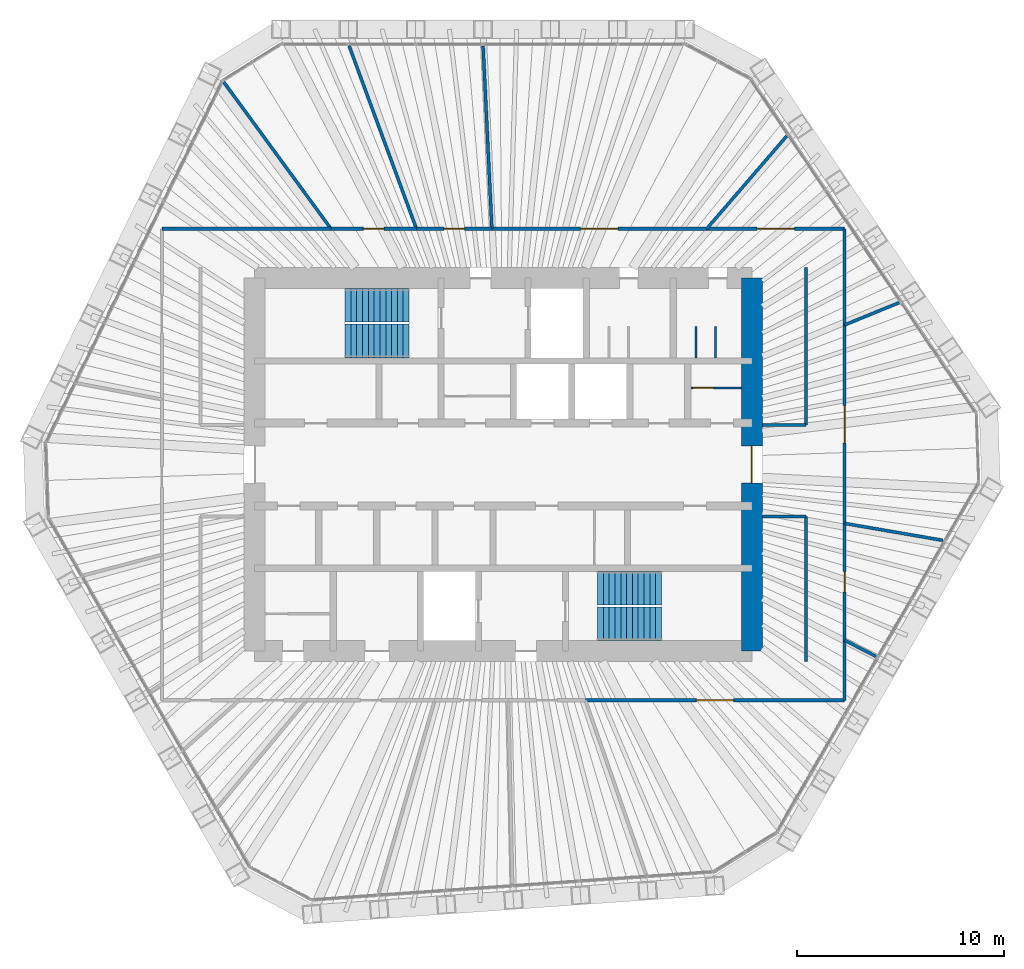
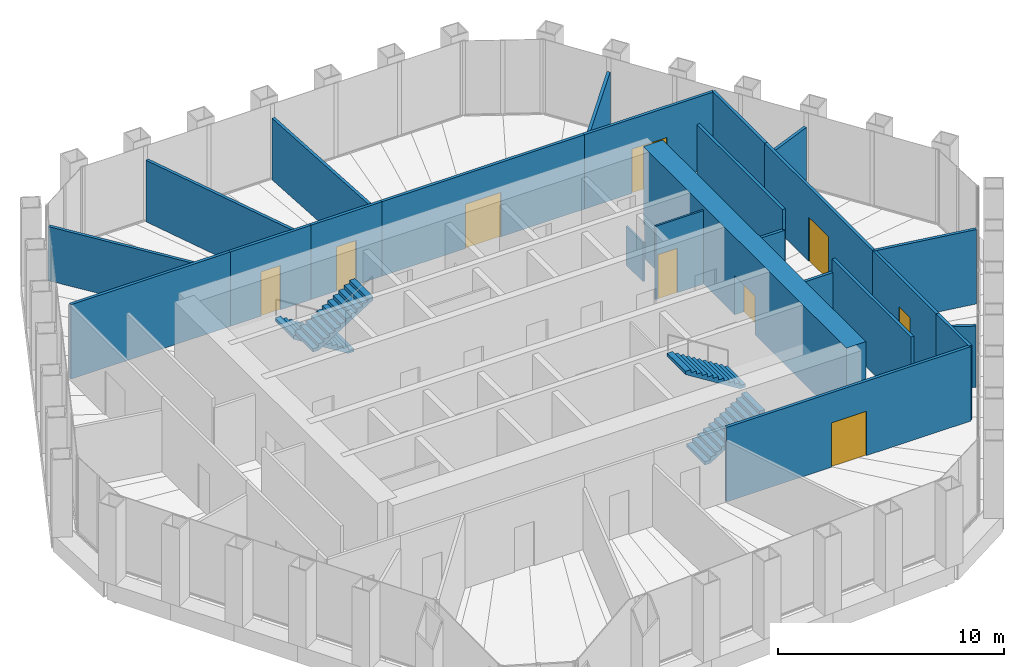
# One storey, part 13 of 14: 25 walls, 9 doors, 4 stair flights, 9 openings, 2 elements without a shape of their own.
"""IFC4 building model written with IfcOpenShell, lengths in metres."""

from ifc_helpers import new_model, si_unit, direction, frame, frame_2d, origin, place, context, subcontext, project, spatial, polyline, rectangle, outline, extrude, material, layer, layer_set, type_object, element, fill, aggregate, save


model = new_model("IFC4")

# Units and contexts
model_context = context("Model", 3, precision=1e-05, world=origin(), true_north=direction((0.0, 1.0)))
body_context = subcontext(model_context, "Body", "Model", "MODEL_VIEW")
ifc_project = project(units=[si_unit("LENGTHUNIT", "METRE"), si_unit("AREAUNIT", "SQUARE_METRE"), si_unit("VOLUMEUNIT", "CUBIC_METRE"), si_unit("PLANEANGLEUNIT", "RADIAN"), si_unit("MASSUNIT", "GRAM", prefix="KILO")], contexts=[model_context])

# Site, building, storey
site_placement = place(None, origin())
site = spatial("IfcSite", under=ifc_project, at=site_placement, CompositionType="ELEMENT")
building_placement = place(site_placement, origin())
building = spatial("IfcBuilding", under=site, at=building_placement, Name="Qingtian Harvest Tower", CompositionType="ELEMENT")
storey_placement = place(building_placement, frame((0.0, 0.0, 270.39990234375)))
storey = spatial("IfcBuildingStorey", under=building, at=storey_placement, Name="L59", CompositionType="ELEMENT", Elevation=270.39990234375)

# Wall, opening, door
ifc_material_1 = material(Name="Concrete fc' 70 MPa", Category="concrete")
ifc_layer_1 = layer(ifc_material_1, 1.0)
ifc_layer_set_1 = layer_set([ifc_layer_1], Name="Core wall RC3 1000")
wall_type_1 = type_object("IfcWallType", Name="Core wall RC3 1000", PredefinedType="SHEAR", material=ifc_layer_set_1)
wall_1_placement = place(storey_placement, frame((12.0, -9.0, 0.0), z_axis=(0.0, 0.0, 1.0), x_axis=(0.0, 1.0, 0.0)))
wall_1 = element("IfcWall", 1, at=wall_1_placement, inside=storey, type_object=wall_type_1, Name="Core wall CE L59", PredefinedType="SHEAR", context=body_context, shape_type="SweptSolid", body=[
    extrude(rectangle(XDim=18.0, YDim=1.0, at=frame_2d((9.0, 0.0))), origin(), (0.0, 0.0, 1.0), 4.2001953125),
])
opening_1_placement = place(wall_1_placement, frame((8.10009765625, 0.0, 0.0)))
opening_1 = element("IfcOpeningElement", 2, at=opening_1_placement, cuts=wall_1, Name="Opening FD2", PredefinedType="OPENING", context=body_context, shape_type="SweptSolid", body=[
    extrude(rectangle(XDim=1.800048828125, YDim=2.10009765625, at=frame_2d((0.89990234375, 1.050048828125))), frame((0.0, 0.510009765625, 0.0), z_axis=(0.0, -1.0, 0.0), x_axis=(1.0, 0.0, 0.0)), (0.0, 0.0, 1.0), 1.02001953125),
])
ifc_material_2 = material(Name="Steel-faced door leaf", Category="steel")
door_type_1 = type_object("IfcDoorType", Name="Fire door FD2 double 1 HR", OperationType="DOUBLE_DOOR_DOUBLE_SWING", PredefinedType="DOOR", material=ifc_material_2)
door_1_placement = place(opening_1_placement, origin())
door_1 = element("IfcDoor", 3, at=door_1_placement, inside=storey, type_object=door_type_1, Name="LOBBY-E door L59", OperationType="DOUBLE_DOOR_DOUBLE_SWING", OverallHeight=2.10009765625, OverallWidth=1.800048828125, PredefinedType="DOOR", context=body_context, shape_type="SweptSolid", body=[
    extrude(rectangle(XDim=1.800048828125, YDim=2.10009765625, at=frame_2d((0.89990234375, 1.050048828125))), frame((0.0, 0.02490234375, 0.0), z_axis=(0.0, -1.0, 0.0), x_axis=(1.0, 0.0, 0.0)), (0.0, 0.0, 1.0), 0.050048828125),
])
fill(opening_1, door_1)

# Walls
ifc_material_3 = material(Name="Gypsum board on steel studs", Category="steel")
ifc_layer_2 = layer(ifc_material_3, 0.14990234375)
ifc_layer_set_2 = layer_set([ifc_layer_2], Name="Partition PT1 150")
wall_type_2 = type_object("IfcWallType", Name="Partition PT1 150", PredefinedType="PARTITIONING", material=ifc_layer_set_2)
wall_2_placement = place(storey_placement, frame((-16.47509765625, 11.375, 0.0), z_axis=(0.0, 0.0, 1.0), x_axis=(1.0, 0.0, 0.0)))
element("IfcWall", 4, at=wall_2_placement, inside=storey, type_object=wall_type_2, Name="Workplace zone wall L59", PredefinedType="PARTITIONING", context=body_context, shape_type="SweptSolid", body=[
    extrude(rectangle(XDim=8.162841796875, YDim=0.14990234375, at=frame_2d((4.08154296875, 0.0))), origin(), (0.0, 0.0, 1.0), 4.030029296875),
])
wall_3_placement = place(storey_placement, frame((-13.486083984375, 18.455322265625, 0.0), z_axis=(0.0, 0.0, 1.0), x_axis=(0.589997742419, -0.807404894672, 0.0)))
element("IfcWall", 5, at=wall_3_placement, inside=storey, type_object=wall_type_2, Name="Store room wall L59", PredefinedType="PARTITIONING", context=body_context, shape_type="SweptSolid", body=[
    extrude(rectangle(XDim=8.769287109375, YDim=0.14990234375, at=frame_2d((4.384765625, 0.0))), origin(), (0.0, 0.0, 1.0), 2.93017578125),
])

# Wall, opening, door
wall_4_placement = place(storey_placement, frame((-8.312255859375, 11.375, 0.0), z_axis=(0.0, 0.0, 1.0), x_axis=(1.0, 0.0, 0.0)))
wall_4 = element("IfcWall", 6, at=wall_4_placement, inside=storey, type_object=wall_type_2, Name="Store room wall L59", PredefinedType="PARTITIONING", context=body_context, shape_type="SweptSolid", body=[
    extrude(rectangle(XDim=4.1240234375, YDim=0.14990234375, at=frame_2d((2.06201171875, 0.0))), origin(), (0.0, 0.0, 1.0), 4.030029296875),
])
opening_2_placement = place(wall_4_placement, frame((1.56201171875, 0.0, 0.0)))
opening_2 = element("IfcOpeningElement", 7, at=opening_2_placement, cuts=wall_4, Name="Opening D2", PredefinedType="OPENING", context=body_context, shape_type="SweptSolid", body=[
    extrude(rectangle(XDim=1.0, YDim=2.39990234375, at=frame_2d((0.5, 1.199951171875))), frame((0.0, 0.0849609375, 0.0), z_axis=(0.0, -1.0, 0.0), x_axis=(1.0, 0.0, 0.0)), (0.0, 0.0, 1.0), 0.169921875),
])
ifc_material_4 = material(Name="Laminated timber door leaf", Category="wood")
door_type_2 = type_object("IfcDoorType", Name="Room door D2 single", OperationType="SINGLE_SWING_LEFT", PredefinedType="DOOR", material=ifc_material_4)
door_2_placement = place(opening_2_placement, origin())
door_2 = element("IfcDoor", 8, at=door_2_placement, inside=storey, type_object=door_type_2, Name="Store room door L59", OperationType="SINGLE_SWING_RIGHT", OverallHeight=2.39990234375, OverallWidth=1.0, PredefinedType="DOOR", context=body_context, shape_type="SweptSolid", body=[
    extrude(rectangle(XDim=1.0, YDim=2.39990234375, at=frame_2d((0.5, 1.199951171875))), frame((0.0, 0.02490234375, 0.0), z_axis=(0.0, -1.0, 0.0), x_axis=(1.0, 0.0, 0.0)), (0.0, 0.0, 1.0), 0.050048828125),
])
fill(opening_2, door_2)

# Wall
wall_5_placement = place(storey_placement, frame((-7.439697265625, 20.2060546875, 0.0), z_axis=(0.0, 0.0, 1.0), x_axis=(0.345510588088, -0.938414851502, 0.0)))
element("IfcWall", 9, at=wall_5_placement, inside=storey, type_object=wall_type_2, Name="Quiet room wall L59", PredefinedType="PARTITIONING", context=body_context, shape_type="SweptSolid", body=[
    extrude(rectangle(XDim=9.41064453125, YDim=0.14990234375, at=frame_2d((4.705322265625, 0.0))), origin(), (0.0, 0.0, 1.0), 3.330078125),
])

# Wall, opening, door
wall_6_placement = place(storey_placement, frame((-4.188232421875, 11.375, 0.0), z_axis=(0.0, 0.0, 1.0), x_axis=(1.0, 0.0, 0.0)))
wall_6 = element("IfcWall", 10, at=wall_6_placement, inside=storey, type_object=wall_type_2, Name="Quiet room wall L59", PredefinedType="PARTITIONING", context=body_context, shape_type="SweptSolid", body=[
    extrude(rectangle(XDim=3.64013671875, YDim=0.14990234375, at=frame_2d((1.820068359375, 0.0))), origin(), (0.0, 0.0, 1.0), 4.030029296875),
])
opening_3_placement = place(wall_6_placement, frame((1.320068359375, 0.0, 0.0)))
opening_3 = element("IfcOpeningElement", 11, at=opening_3_placement, cuts=wall_6, Name="Opening D2", PredefinedType="OPENING", context=body_context, shape_type="SweptSolid", body=[
    extrude(rectangle(XDim=1.0, YDim=2.39990234375, at=frame_2d((0.5, 1.199951171875))), frame((0.0, 0.0849609375, 0.0), z_axis=(0.0, -1.0, 0.0), x_axis=(1.0, 0.0, 0.0)), (0.0, 0.0, 1.0), 0.169921875),
])
door_3_placement = place(opening_3_placement, origin())
door_3 = element("IfcDoor", 12, at=door_3_placement, inside=storey, type_object=door_type_2, Name="Quiet room door L59", OperationType="SINGLE_SWING_RIGHT", OverallHeight=2.39990234375, OverallWidth=1.0, PredefinedType="DOOR", context=body_context, shape_type="SweptSolid", body=[
    extrude(rectangle(XDim=1.0, YDim=2.39990234375, at=frame_2d((0.5, 1.199951171875))), frame((0.0, 0.02490234375, 0.0), z_axis=(0.0, -1.0, 0.0), x_axis=(1.0, 0.0, 0.0)), (0.0, 0.0, 1.0), 0.050048828125),
])
fill(opening_3, door_3)

# Wall
wall_7_placement = place(storey_placement, frame((-0.973388671875, 20.2001953125, 0.0), z_axis=(0.0, 0.0, 1.0), x_axis=(0.048134910622, -0.998840843368, 0.0)))
element("IfcWall", 13, at=wall_7_placement, inside=storey, type_object=wall_type_2, Name="Workplace zone wall L59", PredefinedType="PARTITIONING", context=body_context, shape_type="SweptSolid", body=[
    extrude(rectangle(XDim=8.83544921875, YDim=0.14990234375, at=frame_2d((4.417724609375, 0.0))), origin(), (0.0, 0.0, 1.0), 3.330078125),
])

# Wall, opening, door
wall_8_placement = place(storey_placement, frame((-0.548095703125, 11.375, 0.0), z_axis=(0.0, 0.0, 1.0), x_axis=(1.0, 0.0, 0.0)))
wall_8 = element("IfcWall", 14, at=wall_8_placement, inside=storey, type_object=wall_type_2, Name="Workplace zone wall L59", PredefinedType="PARTITIONING", context=body_context, shape_type="SweptSolid", body=[
    extrude(rectangle(XDim=10.364501953125, YDim=0.14990234375, at=frame_2d((5.18212890625, 0.0))), origin(), (0.0, 0.0, 1.0), 4.030029296875),
])
opening_4_placement = place(wall_8_placement, frame((4.2822265625, 0.0, 0.0)))
opening_4 = element("IfcOpeningElement", 15, at=opening_4_placement, cuts=wall_8, Name="Opening D3", PredefinedType="OPENING", context=body_context, shape_type="SweptSolid", body=[
    extrude(rectangle(XDim=1.800048828125, YDim=2.39990234375, at=frame_2d((0.89990234375, 1.199951171875))), frame((0.0, 0.0849609375, 0.0), z_axis=(0.0, -1.0, 0.0), x_axis=(1.0, 0.0, 0.0)), (0.0, 0.0, 1.0), 0.169921875),
])
ifc_material_5 = material(Name="Laminated timber door leaf", Category="wood")
door_type_3 = type_object("IfcDoorType", Name="Room door D3 double", OperationType="DOUBLE_DOOR_DOUBLE_SWING", PredefinedType="DOOR", material=ifc_material_5)
door_4_placement = place(opening_4_placement, origin())
door_4 = element("IfcDoor", 16, at=door_4_placement, inside=storey, type_object=door_type_3, Name="Workplace zone door L59", OperationType="DOUBLE_DOOR_DOUBLE_SWING", OverallHeight=2.39990234375, OverallWidth=1.800048828125, PredefinedType="DOOR", context=body_context, shape_type="SweptSolid", body=[
    extrude(rectangle(XDim=1.800048828125, YDim=2.39990234375, at=frame_2d((0.89990234375, 1.199951171875))), frame((0.0, 0.02490234375, 0.0), z_axis=(0.0, -1.0, 0.0), x_axis=(1.0, 0.0, 0.0)), (0.0, 0.0, 1.0), 0.050048828125),
])
fill(opening_4, door_4)

# Wall
wall_9_placement = place(storey_placement, frame((13.678466796875, 15.850341796875, 0.0), z_axis=(0.0, 0.0, 1.0), x_axis=(-0.653328423077, -0.757074614288, 0.0)))
element("IfcWall", 17, at=wall_9_placement, inside=storey, type_object=wall_type_2, Name="Meeting room wall L59", PredefinedType="PARTITIONING", context=body_context, shape_type="SweptSolid", body=[
    extrude(rectangle(XDim=5.911376953125, YDim=0.14990234375, at=frame_2d((2.95556640625, 0.0))), origin(), (0.0, 0.0, 1.0), 3.330078125),
])

# Wall, opening, door
wall_10_placement = place(storey_placement, frame((9.81640625, 11.375, 0.0), z_axis=(0.0, 0.0, 1.0), x_axis=(1.0, 0.0, 0.0)))
wall_10 = element("IfcWall", 18, at=wall_10_placement, inside=storey, type_object=wall_type_2, Name="Meeting room wall L59", PredefinedType="PARTITIONING", context=body_context, shape_type="SweptSolid", body=[
    extrude(rectangle(XDim=6.65869140625, YDim=0.14990234375, at=frame_2d((3.329345703125, 0.0))), origin(), (0.0, 0.0, 1.0), 4.030029296875),
])
opening_5_placement = place(wall_10_placement, frame((2.42919921875, 0.0, 0.0)))
opening_5 = element("IfcOpeningElement", 19, at=opening_5_placement, cuts=wall_10, Name="Opening D3", PredefinedType="OPENING", context=body_context, shape_type="SweptSolid", body=[
    extrude(rectangle(XDim=1.800048828125, YDim=2.39990234375, at=frame_2d((0.89990234375, 1.199951171875))), frame((0.0, 0.0849609375, 0.0), z_axis=(0.0, -1.0, 0.0), x_axis=(1.0, 0.0, 0.0)), (0.0, 0.0, 1.0), 0.169921875),
])
door_5_placement = place(opening_5_placement, origin())
door_5 = element("IfcDoor", 20, at=door_5_placement, inside=storey, type_object=door_type_3, Name="Meeting room door L59", OperationType="DOUBLE_DOOR_DOUBLE_SWING", OverallHeight=2.39990234375, OverallWidth=1.800048828125, PredefinedType="DOOR", context=body_context, shape_type="SweptSolid", body=[
    extrude(rectangle(XDim=1.800048828125, YDim=2.39990234375, at=frame_2d((0.89990234375, 1.199951171875))), frame((0.0, 0.02490234375, 0.0), z_axis=(0.0, -1.0, 0.0), x_axis=(1.0, 0.0, 0.0)), (0.0, 0.0, 1.0), 0.050048828125),
])
fill(opening_5, door_5)

# Walls
wall_11_placement = place(storey_placement, frame((16.47509765625, 11.375, 0.0), z_axis=(0.0, 0.0, 1.0), x_axis=(0.0, -1.0, 0.0)))
element("IfcWall", 21, at=wall_11_placement, inside=storey, type_object=wall_type_2, Name="Meeting room wall L59", PredefinedType="PARTITIONING", context=body_context, shape_type="SweptSolid", body=[
    extrude(rectangle(XDim=4.638427734375, YDim=0.14990234375, at=frame_2d((2.3193359375, 0.0))), origin(), (0.0, 0.0, 1.0), 4.030029296875),
])
wall_12_placement = place(storey_placement, frame((19.10009765625, 7.81005859375, 0.0), z_axis=(0.0, 0.0, 1.0), x_axis=(-0.925593572601, -0.378518874509, 0.0)))
element("IfcWall", 22, at=wall_12_placement, inside=storey, type_object=wall_type_2, Name="Workplace zone wall L59", PredefinedType="PARTITIONING", context=body_context, shape_type="SweptSolid", body=[
    extrude(rectangle(XDim=2.8359375, YDim=0.14990234375, at=frame_2d((1.41796875, 0.0))), origin(), (0.0, 0.0, 1.0), 3.330078125),
])

# Wall, opening, door
wall_13_placement = place(storey_placement, frame((16.47509765625, 6.736572265625, 0.0), z_axis=(0.0, 0.0, 1.0), x_axis=(0.0, -1.0, 0.0)))
wall_13 = element("IfcWall", 23, at=wall_13_placement, inside=storey, type_object=wall_type_2, Name="Workplace zone wall L59", PredefinedType="PARTITIONING", context=body_context, shape_type="SweptSolid", body=[
    extrude(rectangle(XDim=9.578369140625, YDim=0.14990234375, at=frame_2d((4.7890625, 0.0))), origin(), (0.0, 0.0, 1.0), 4.030029296875),
])
opening_6_placement = place(wall_13_placement, frame((3.88916015625, 0.0, 0.0)))
opening_6 = element("IfcOpeningElement", 24, at=opening_6_placement, cuts=wall_13, Name="Opening D3", PredefinedType="OPENING", context=body_context, shape_type="SweptSolid", body=[
    extrude(rectangle(XDim=1.800048828125, YDim=2.39990234375, at=frame_2d((0.89990234375, 1.199951171875))), frame((0.0, 0.0849609375, 0.0), z_axis=(0.0, -1.0, 0.0), x_axis=(1.0, 0.0, 0.0)), (0.0, 0.0, 1.0), 0.169921875),
])
door_6_placement = place(opening_6_placement, origin())
door_6 = element("IfcDoor", 25, at=door_6_placement, inside=storey, type_object=door_type_3, Name="Workplace zone door L59", OperationType="DOUBLE_DOOR_DOUBLE_SWING", OverallHeight=2.39990234375, OverallWidth=1.800048828125, PredefinedType="DOOR", context=body_context, shape_type="SweptSolid", body=[
    extrude(rectangle(XDim=1.800048828125, YDim=2.39990234375, at=frame_2d((0.89990234375, 1.199951171875))), frame((0.0, 0.02490234375, 0.0), z_axis=(0.0, -1.0, 0.0), x_axis=(1.0, 0.0, 0.0)), (0.0, 0.0, 1.0), 0.050048828125),
])
fill(opening_6, door_6)

# Wall
wall_14_placement = place(storey_placement, frame((21.218994140625, -3.66015625, 0.0), z_axis=(0.0, 0.0, 1.0), x_axis=(-0.985444592587, 0.16999692627, 0.0)))
element("IfcWall", 26, at=wall_14_placement, inside=storey, type_object=wall_type_2, Name="Pantry wall L59", PredefinedType="PARTITIONING", context=body_context, shape_type="SweptSolid", body=[
    extrude(rectangle(XDim=4.81396484375, YDim=0.14990234375, at=frame_2d((2.406982421875, 0.0))), origin(), (0.0, 0.0, 1.0), 4.030029296875),
])

# Wall, opening, door
wall_15_placement = place(storey_placement, frame((16.47509765625, -2.841796875, 0.0), z_axis=(0.0, 0.0, 1.0), x_axis=(0.0, -1.0, 0.0)))
wall_15 = element("IfcWall", 27, at=wall_15_placement, inside=storey, type_object=wall_type_2, Name="Pantry wall L59", PredefinedType="PARTITIONING", context=body_context, shape_type="SweptSolid", body=[
    extrude(rectangle(XDim=5.64013671875, YDim=0.14990234375, at=frame_2d((2.820068359375, 0.0))), origin(), (0.0, 0.0, 1.0), 4.030029296875),
])
opening_7_placement = place(wall_15_placement, frame((2.320068359375, 0.0, 0.0)))
opening_7 = element("IfcOpeningElement", 28, at=opening_7_placement, cuts=wall_15, Name="Opening D2", PredefinedType="OPENING", context=body_context, shape_type="SweptSolid", body=[
    extrude(rectangle(XDim=1.0, YDim=2.39990234375, at=frame_2d((0.5, 1.199951171875))), frame((0.0, 0.0849609375, 0.0), z_axis=(0.0, -1.0, 0.0), x_axis=(1.0, 0.0, 0.0)), (0.0, 0.0, 1.0), 0.169921875),
])
door_7_placement = place(opening_7_placement, origin())
door_7 = element("IfcDoor", 29, at=door_7_placement, inside=storey, type_object=door_type_2, Name="Pantry door L59", OperationType="SINGLE_SWING_RIGHT", OverallHeight=2.39990234375, OverallWidth=1.0, PredefinedType="DOOR", context=body_context, shape_type="SweptSolid", body=[
    extrude(rectangle(XDim=1.0, YDim=2.39990234375, at=frame_2d((0.5, 1.199951171875))), frame((0.0, 0.02490234375, 0.0), z_axis=(0.0, -1.0, 0.0), x_axis=(1.0, 0.0, 0.0)), (0.0, 0.0, 1.0), 0.050048828125),
])
fill(opening_7, door_7)

# Walls
wall_16_placement = place(storey_placement, frame((17.98046875, -9.257080078125, 0.0), z_axis=(0.0, 0.0, 1.0), x_axis=(-0.889058145064, 0.457794292991, 0.0)))
element("IfcWall", 30, at=wall_16_placement, inside=storey, type_object=wall_type_2, Name="Workplace zone wall L59", PredefinedType="PARTITIONING", context=body_context, shape_type="SweptSolid", body=[
    extrude(rectangle(XDim=1.693115234375, YDim=0.14990234375, at=frame_2d((0.8466796875, 0.0))), origin(), (0.0, 0.0, 1.0), 3.330078125),
])
wall_17_placement = place(storey_placement, frame((16.47509765625, -8.48193359375, 0.0), z_axis=(0.0, 0.0, 1.0), x_axis=(0.0, -1.0, 0.0)))
element("IfcWall", 31, at=wall_17_placement, inside=storey, type_object=wall_type_2, Name="Workplace zone wall L59", PredefinedType="PARTITIONING", context=body_context, shape_type="SweptSolid", body=[
    extrude(rectangle(XDim=2.89306640625, YDim=0.14990234375, at=frame_2d((1.446533203125, 0.0))), origin(), (0.0, 0.0, 1.0), 4.030029296875),
])

# Wall, opening, door
wall_18_placement = place(storey_placement, frame((16.47509765625, -11.375, 0.0), z_axis=(0.0, 0.0, 1.0), x_axis=(-1.0, 0.0, 0.0)))
wall_18 = element("IfcWall", 32, at=wall_18_placement, inside=storey, type_object=wall_type_2, Name="Workplace zone wall L59", PredefinedType="PARTITIONING", context=body_context, shape_type="SweptSolid", body=[
    extrude(rectangle(XDim=12.512451171875, YDim=0.14990234375, at=frame_2d((6.25634765625, 0.0))), origin(), (0.0, 0.0, 1.0), 4.030029296875),
])
opening_8_placement = place(wall_18_placement, frame((5.356201171875, 0.0, 0.0)))
opening_8 = element("IfcOpeningElement", 33, at=opening_8_placement, cuts=wall_18, Name="Opening D3", PredefinedType="OPENING", context=body_context, shape_type="SweptSolid", body=[
    extrude(rectangle(XDim=1.800048828125, YDim=2.39990234375, at=frame_2d((0.89990234375, 1.199951171875))), frame((0.0, 0.0849609375, 0.0), z_axis=(0.0, -1.0, 0.0), x_axis=(1.0, 0.0, 0.0)), (0.0, 0.0, 1.0), 0.169921875),
])
door_8_placement = place(opening_8_placement, origin())
door_8 = element("IfcDoor", 34, at=door_8_placement, inside=storey, type_object=door_type_3, Name="Workplace zone door L59", OperationType="DOUBLE_DOOR_DOUBLE_SWING", OverallHeight=2.39990234375, OverallWidth=1.800048828125, PredefinedType="DOOR", context=body_context, shape_type="SweptSolid", body=[
    extrude(rectangle(XDim=1.800048828125, YDim=2.39990234375, at=frame_2d((0.89990234375, 1.199951171875))), frame((0.0, 0.02490234375, 0.0), z_axis=(0.0, -1.0, 0.0), x_axis=(1.0, 0.0, 0.0)), (0.0, 0.0, 1.0), 0.050048828125),
])
fill(opening_8, door_8)

# Walls
wall_19_placement = place(storey_placement, frame((14.60009765625, 1.89990234375, 0.0), z_axis=(0.0, 0.0, 1.0), x_axis=(0.0, 1.0, 0.0)))
element("IfcWall", 35, at=wall_19_placement, inside=storey, type_object=wall_type_2, Name="Coffee point wall L59", PredefinedType="PARTITIONING", context=body_context, shape_type="SweptSolid", body=[
    extrude(rectangle(XDim=7.60009765625, YDim=0.14990234375, at=frame_2d((3.800048828125, 0.0))), origin(), (0.0, 0.0, 1.0), 4.030029296875),
])
wall_20_placement = place(storey_placement, frame((12.5, 1.89990234375, 0.0), z_axis=(0.0, 0.0, 1.0), x_axis=(1.0, 0.0, 0.0)))
element("IfcWall", 36, at=wall_20_placement, inside=storey, type_object=wall_type_2, Name="Coffee point wall L59", PredefinedType="PARTITIONING", context=body_context, shape_type="SweptSolid", body=[
    extrude(rectangle(XDim=2.10009765625, YDim=0.14990234375, at=frame_2d((1.050048828125, 0.0))), origin(), (0.0, 0.0, 1.0), 2.93017578125),
])
wall_21_placement = place(storey_placement, frame((14.60009765625, -9.5, 0.0), z_axis=(0.0, 0.0, 1.0), x_axis=(0.0, 1.0, 0.0)))
element("IfcWall", 37, at=wall_21_placement, inside=storey, type_object=wall_type_2, Name="Print area wall L59", PredefinedType="PARTITIONING", context=body_context, shape_type="SweptSolid", body=[
    extrude(rectangle(XDim=7.0, YDim=0.14990234375, at=frame_2d((3.5, 0.0))), origin(), (0.0, 0.0, 1.0), 4.030029296875),
])
wall_22_placement = place(storey_placement, frame((12.5, -2.5, 0.0), z_axis=(0.0, 0.0, 1.0), x_axis=(1.0, 0.0, 0.0)))
element("IfcWall", 38, at=wall_22_placement, inside=storey, type_object=wall_type_2, Name="Print area wall L59", PredefinedType="PARTITIONING", context=body_context, shape_type="SweptSolid", body=[
    extrude(rectangle(XDim=2.10009765625, YDim=0.14990234375, at=frame_2d((1.050048828125, 0.0))), origin(), (0.0, 0.0, 1.0), 3.330078125),
])

# Wall, opening, door
ifc_material_6 = material(Name="Concrete block partition", Category="concrete")
ifc_layer_3 = layer(ifc_material_6, 0.10009765625)
ifc_layer_set_3 = layer_set([ifc_layer_3], Name="Store partition PT3 100")
wall_type_3 = type_object("IfcWallType", Name="Store partition PT3 100", PredefinedType="PARTITIONING", material=ifc_layer_set_3)
wall_23_placement = place(storey_placement, frame((9.050048828125, 3.699951171875, 0.0), z_axis=(0.0, 0.0, 1.0), x_axis=(1.0, 0.0, 0.0)))
wall_23 = element("IfcWall", 39, at=wall_23_placement, inside=storey, type_object=wall_type_3, Name="Filter plant room wall L59", PredefinedType="PARTITIONING", context=body_context, shape_type="SweptSolid", body=[
    extrude(rectangle(XDim=2.449951171875, YDim=0.10009765625, at=frame_2d((1.22509765625, 0.0))), origin(), (0.0, 0.0, 1.0), 3.97998046875),
])
opening_9_placement = place(wall_23_placement, frame((0.10009765625, 0.0, 0.0)))
opening_9 = element("IfcOpeningElement", 40, at=opening_9_placement, cuts=wall_23, Name="Opening D2", PredefinedType="OPENING", context=body_context, shape_type="SweptSolid", body=[
    extrude(rectangle(XDim=1.0, YDim=2.39990234375, at=frame_2d((0.5, 1.199951171875))), frame((0.0, 0.06005859375, 0.0), z_axis=(0.0, -1.0, 0.0), x_axis=(1.0, 0.0, 0.0)), (0.0, 0.0, 1.0), 0.1201171875),
])
door_9_placement = place(opening_9_placement, origin())
door_9 = element("IfcDoor", 41, at=door_9_placement, inside=storey, type_object=door_type_2, Name="Filter plant room door L59", OperationType="SINGLE_SWING_LEFT", OverallHeight=2.39990234375, OverallWidth=1.0, PredefinedType="DOOR", context=body_context, shape_type="SweptSolid", body=[
    extrude(rectangle(XDim=1.0, YDim=2.39990234375, at=frame_2d((0.5, 1.199951171875))), frame((0.0, 0.02490234375, 0.0), z_axis=(0.0, -1.0, 0.0), x_axis=(1.0, 0.0, 0.0)), (0.0, 0.0, 1.0), 0.050048828125),
])
fill(opening_9, door_9)

# Walls
ifc_material_7 = material(Name="Compact laminate cubicle partition", Category="plastic")
ifc_layer_4 = layer(ifc_material_7, 0.10009765625)
ifc_layer_set_4 = layer_set([ifc_layer_4], Name="WC cubicle partition WP1 100")
wall_type_4 = type_object("IfcWallType", Name="WC cubicle partition WP1 100", PredefinedType="PARTITIONING", material=ifc_layer_set_4)
for number, where, z_axis, x_axis, name in (
    (42, (9.300048828125, 5.14990234375, 0.0), (0.0, 0.0, 1.0), (0.0, 1.0, 0.0), "WC cubicle partition WCF L59"),
    (43, (10.25, 5.14990234375, 0.0), (0.0, 0.0, 1.0), (0.0, 1.0, 0.0), "WC cubicle partition WCF L59"),
):
    element("IfcWall", number, at=place(storey_placement, frame(where, z_axis=z_axis, x_axis=x_axis)), inside=storey, type_object=wall_type_4, Name=name, PredefinedType="PARTITIONING", context=body_context, shape_type="SweptSolid", body=[
        extrude(rectangle(XDim=1.5, YDim=0.10009765625, at=frame_2d((0.75, 0.0))), origin(), (0.0, 0.0, 1.0), 2.10009765625),
    ])

# Stair, stair flights
ifc_material_8 = material(Name="Concrete fc' 35 MPa", Category="concrete")
stair_type = type_object("IfcStairType", Name="Special stair ST6 4200", PredefinedType="HALF_TURN_STAIR", material=ifc_material_8)
stair_1_placement = place(storey_placement, origin())
stair_1 = element("IfcStair", 44, at=stair_1_placement, inside=storey, type_object=stair_type, Name="Special stair S1 L59", PredefinedType="HALF_TURN_STAIR")
ifc_material_9 = material(Name="Concrete fc' 35 MPa", Category="concrete")
stair_flight_type = type_object("IfcStairFlightType", Name="Stair flight SF6 4200", PredefinedType="STRAIGHT", material=ifc_material_9)
stair_flight_1_placement = place(storey_placement, frame((-4.550048828125, 7.6875, 0.0), z_axis=(0.0, 0.0, 1.0), x_axis=(-1.0, 0.0, 0.0)))
stair_flight_1 = element("IfcStairFlight", 45, at=stair_flight_1_placement, type_object=stair_flight_type, Name="S1 flight 1", NumberOfRisers=12, NumberOfTreads=11, PredefinedType="STRAIGHT", RiserHeight=0.175, TreadLength=0.28, context=body_context, shape_type="SweptSolid", body=[
    extrude(outline(polyline([(0.0, 0.0), (0.0, 0.175048828125), (0.280029296875, 0.175048828125), (0.280029296875, 0.35009765625), (0.56005859375, 0.35009765625), (0.56005859375, 0.52490234375), (0.840087890625, 0.52490234375), (0.840087890625, 0.699951171875), (1.1201171875, 0.699951171875), (1.1201171875, 0.875), (1.39990234375, 0.875), (1.39990234375, 1.050048828125), (1.679931640625, 1.050048828125), (1.679931640625, 1.22509765625), (1.9599609375, 1.22509765625), (1.9599609375, 1.39990234375), (2.239990234375, 1.39990234375), (2.239990234375, 1.574951171875), (2.52001953125, 1.574951171875), (2.52001953125, 1.75), (2.800048828125, 1.75), (2.800048828125, 1.925048828125), (3.080078125, 1.925048828125), (3.080078125, 2.10009765625), (3.080078125, 1.748291015625), (0.28271484375, 0.0), (0.0, 0.0)])), frame((0.0, 0.8125, 0.0), z_axis=(0.0, -1.0, 0.0), x_axis=(1.0, 0.0, 0.0)), (0.0, 0.0, 1.0), 1.625),
])
stair_flight_2_placement = place(storey_placement, frame((-7.6298828125, 5.96240234375, 2.10009765625), z_axis=(0.0, 0.0, 1.0), x_axis=(1.0, 0.0, 0.0)))
stair_flight_2 = element("IfcStairFlight", 46, at=stair_flight_2_placement, type_object=stair_flight_type, Name="S1 flight 2", NumberOfRisers=12, NumberOfTreads=11, PredefinedType="STRAIGHT", RiserHeight=0.175, TreadLength=0.28, context=body_context, shape_type="SweptSolid", body=[
    extrude(outline(polyline([(0.0, 0.0), (0.0, 0.175048828125), (0.280029296875, 0.175048828125), (0.280029296875, 0.35009765625), (0.56005859375, 0.35009765625), (0.56005859375, 0.52490234375), (0.840087890625, 0.52490234375), (0.840087890625, 0.699951171875), (1.1201171875, 0.699951171875), (1.1201171875, 0.875), (1.39990234375, 0.875), (1.39990234375, 1.050048828125), (1.679931640625, 1.050048828125), (1.679931640625, 1.22509765625), (1.9599609375, 1.22509765625), (1.9599609375, 1.39990234375), (2.239990234375, 1.39990234375), (2.239990234375, 1.574951171875), (2.52001953125, 1.574951171875), (2.52001953125, 1.75), (2.800048828125, 1.75), (2.800048828125, 1.925048828125), (3.080078125, 1.925048828125), (3.080078125, 2.10009765625), (3.080078125, 1.748291015625), (0.28271484375, 0.0), (0.0, 0.0)])), frame((0.0, 0.8125, 0.0), z_axis=(0.0, -1.0, 0.0), x_axis=(1.0, 0.0, 0.0)), (0.0, 0.0, 1.0), 1.625),
])
aggregate(stair_1, [stair_flight_1, stair_flight_2])

stair_2_placement = place(storey_placement, origin())
stair_2 = element("IfcStair", 47, at=stair_2_placement, inside=storey, type_object=stair_type, Name="Special stair S2 L59", PredefinedType="HALF_TURN_STAIR")
stair_flight_3_placement = place(storey_placement, frame((4.550048828125, -7.6875, 0.0), z_axis=(0.0, 0.0, 1.0), x_axis=(1.0, 0.0, 0.0)))
stair_flight_3 = element("IfcStairFlight", 48, at=stair_flight_3_placement, type_object=stair_flight_type, Name="S2 flight 1", NumberOfRisers=12, NumberOfTreads=11, PredefinedType="STRAIGHT", RiserHeight=0.175, TreadLength=0.28, context=body_context, shape_type="SweptSolid", body=[
    extrude(outline(polyline([(0.0, 0.0), (0.0, 0.175048828125), (0.280029296875, 0.175048828125), (0.280029296875, 0.35009765625), (0.56005859375, 0.35009765625), (0.56005859375, 0.52490234375), (0.840087890625, 0.52490234375), (0.840087890625, 0.699951171875), (1.1201171875, 0.699951171875), (1.1201171875, 0.875), (1.39990234375, 0.875), (1.39990234375, 1.050048828125), (1.679931640625, 1.050048828125), (1.679931640625, 1.22509765625), (1.9599609375, 1.22509765625), (1.9599609375, 1.39990234375), (2.239990234375, 1.39990234375), (2.239990234375, 1.574951171875), (2.52001953125, 1.574951171875), (2.52001953125, 1.75), (2.800048828125, 1.75), (2.800048828125, 1.925048828125), (3.080078125, 1.925048828125), (3.080078125, 2.10009765625), (3.080078125, 1.748291015625), (0.28271484375, 0.0), (0.0, 0.0)])), frame((0.0, 0.8125, 0.0), z_axis=(0.0, -1.0, 0.0), x_axis=(1.0, 0.0, 0.0)), (0.0, 0.0, 1.0), 1.625),
])
stair_flight_4_placement = place(storey_placement, frame((7.6298828125, -5.96240234375, 2.10009765625), z_axis=(0.0, 0.0, 1.0), x_axis=(-1.0, 0.0, 0.0)))
stair_flight_4 = element("IfcStairFlight", 49, at=stair_flight_4_placement, type_object=stair_flight_type, Name="S2 flight 2", NumberOfRisers=12, NumberOfTreads=11, PredefinedType="STRAIGHT", RiserHeight=0.175, TreadLength=0.28, context=body_context, shape_type="SweptSolid", body=[
    extrude(outline(polyline([(0.0, 0.0), (0.0, 0.175048828125), (0.280029296875, 0.175048828125), (0.280029296875, 0.35009765625), (0.56005859375, 0.35009765625), (0.56005859375, 0.52490234375), (0.840087890625, 0.52490234375), (0.840087890625, 0.699951171875), (1.1201171875, 0.699951171875), (1.1201171875, 0.875), (1.39990234375, 0.875), (1.39990234375, 1.050048828125), (1.679931640625, 1.050048828125), (1.679931640625, 1.22509765625), (1.9599609375, 1.22509765625), (1.9599609375, 1.39990234375), (2.239990234375, 1.39990234375), (2.239990234375, 1.574951171875), (2.52001953125, 1.574951171875), (2.52001953125, 1.75), (2.800048828125, 1.75), (2.800048828125, 1.925048828125), (3.080078125, 1.925048828125), (3.080078125, 2.10009765625), (3.080078125, 1.748291015625), (0.28271484375, 0.0), (0.0, 0.0)])), frame((0.0, 0.8125, 0.0), z_axis=(0.0, -1.0, 0.0), x_axis=(1.0, 0.0, 0.0)), (0.0, 0.0, 1.0), 1.625),
])
aggregate(stair_2, [stair_flight_3, stair_flight_4])

save(model, "model.ifc")
